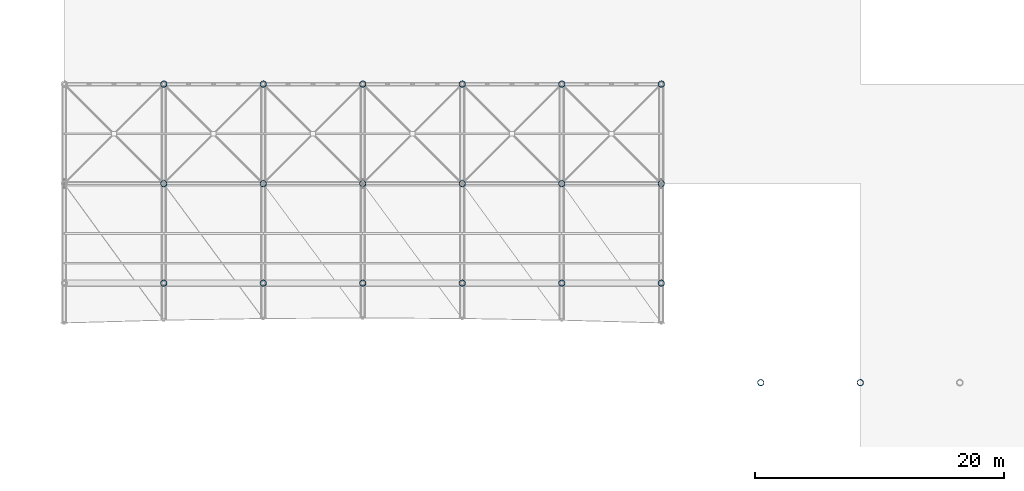
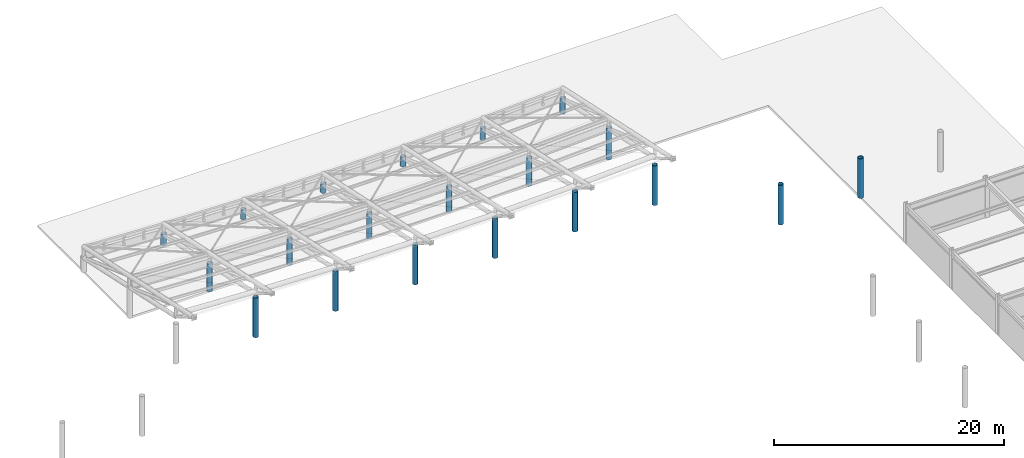
# One storey, part 7 of 54: 20 columns.
"""IFC4 building model written with IfcOpenShell, lengths in metres."""

import ifcopenshell
import ifcopenshell.guid

model = None  # the IFC model being written
_history = None  # IfcOwnerHistory: only IFC2X3 demands one
_inside = {}  # id of a spatial element -> (the spatial element, [elements in it])
_under = {}  # id of a project, library or spatial element -> (it, [spatial elements below it])
_declared = {}  # id of a project -> (the project, [libraries it declares])
_typed = {}  # id of a type object -> (the type object, [elements of that type])
_made_of = {}  # id of a material, layer set ... -> (it, [elements and type objects made of it])


def new_model(schema):
    """Start an empty IFC model of exactly this schema.

    Asked for "IFC4X3", IfcOpenShell would pick the latest addendum, in which some entities
    have other attributes; the version numbers below select the first issue.
    IFC2X3 requires an IfcOwnerHistory on every rooted entity: one is made here for all.
    """
    global model, _history
    if schema == "IFC4X3":
        model = ifcopenshell.file(schema_version=(4, 3, 0, 0))
    else:
        model = ifcopenshell.file(schema=schema)
    _inside.clear()
    _under.clear()
    _declared.clear()
    _typed.clear()
    _made_of.clear()
    _history = None
    if model.schema == "IFC2X3":
        org = make("IfcOrganization", Name="unknown")
        user = make(
            "IfcPersonAndOrganization",
            ThePerson=make("IfcPerson", FamilyName="unknown"),
            TheOrganization=org,
        )
        app = make(
            "IfcApplication",
            ApplicationDeveloper=org,
            Version="unknown",
            ApplicationFullName="unknown",
            ApplicationIdentifier="unknown",
        )
        _history = make(
            "IfcOwnerHistory",
            OwningUser=user,
            OwningApplication=app,
            ChangeAction="ADDED",
            CreationDate=0,
        )
    return model


def make(cls, **values):
    """One entity of the class cls with the attributes given. An attribute that is None is left unset."""
    return model.create_entity(
        cls, **{name: value for name, value in values.items() if value is not None}
    )


def rooted(cls, **values):
    """An entity with a GlobalId (a new one), such as an element, a storey or a relation."""
    return make(cls, GlobalId=ifcopenshell.guid.new(), OwnerHistory=_history, **values)


def si_unit(unit_type, name, prefix=None):
    """IfcSIUnit, for example si_unit("LENGTHUNIT", "METRE", prefix="MILLI")."""
    return make("IfcSIUnit", UnitType=unit_type, Prefix=prefix, Name=name)


def assignment(units):
    """IfcUnitAssignment: the units of a project."""
    return None if units is None else make("IfcUnitAssignment", Units=units)


def point(xyz):
    """IfcCartesianPoint."""
    return None if xyz is None else make("IfcCartesianPoint", Coordinates=xyz)


def direction(xyz):
    """IfcDirection."""
    return None if xyz is None else make("IfcDirection", DirectionRatios=xyz)


def frame(location, z_axis=None, x_axis=None):
    """IfcAxis2Placement3D, a coordinate frame: its origin and axes. An axis left out is left unset."""
    return make(
        "IfcAxis2Placement3D",
        Location=point(location),
        Axis=direction(z_axis),
        RefDirection=direction(x_axis),
    )


def frame_2d(location, x_axis=None):
    """IfcAxis2Placement2D, a coordinate frame in the plane: its origin and x axis."""
    return make(
        "IfcAxis2Placement2D", Location=point(location), RefDirection=direction(x_axis)
    )


def origin():
    """The frame at (0, 0, 0) with its axes left unset."""
    return frame((0.0, 0.0, 0.0))


def origin_2d():
    """The frame at (0, 0) in the plane with its x axis left unset."""
    return frame_2d((0.0, 0.0))


def place(relative_to, where):
    """IfcLocalPlacement: puts the frame where relative to a parent placement (None: the world)."""
    return make(
        "IfcLocalPlacement", PlacementRelTo=relative_to, RelativePlacement=where
    )


def context(
    kind, dimensions, precision=None, world=None, true_north=None, identifier=None
):
    """IfcGeometricRepresentationContext, for example the 3D "Model" context."""
    return make(
        "IfcGeometricRepresentationContext",
        ContextIdentifier=identifier,
        ContextType=kind,
        CoordinateSpaceDimension=dimensions,
        Precision=precision,
        WorldCoordinateSystem=world,
        TrueNorth=true_north,
    )


def subcontext(parent, identifier, kind, view, scale=None):
    """IfcGeometricRepresentationSubContext, for example "Body" below "Model"."""
    return make(
        "IfcGeometricRepresentationSubContext",
        ContextIdentifier=identifier,
        ContextType=kind,
        ParentContext=parent,
        TargetScale=scale,
        TargetView=view,
    )


def project(units=None, contexts=None):
    """IfcProject with its units and contexts."""
    return rooted(
        "IfcProject",
        Name="project",
        RepresentationContexts=contexts,
        UnitsInContext=assignment(units),
    )


def spatial(cls, under=None, at=None, **own):
    """A site, building, storey or space (cls), placed at a placement, below another one or the project."""
    s = rooted(cls, ObjectPlacement=at, **own)
    if under is not None:
        _under.setdefault(under.id(), (under, []))[1].append(s)
    return s


def profile(cls, at=None, kind="AREA", **sizes):
    """A parametric profile (cls). Its sizes go by their IFC names, for example OverallWidth=200.0."""
    return make(cls, ProfileType=kind, Position=at, **sizes)


def hollow_circle(**sizes):
    """IfcCircleHollowProfileDef."""
    return profile("IfcCircleHollowProfileDef", **sizes)


def extrude(swept, where, along, depth):
    """IfcExtrudedAreaSolid: the profile swept, set in the frame where, extruded along a direction by depth."""
    return make(
        "IfcExtrudedAreaSolid",
        SweptArea=swept,
        Position=where,
        ExtrudedDirection=direction(along),
        Depth=depth,
    )


def shape(context_of_items, identifier, shape_type, items):
    """IfcShapeRepresentation: the items that make up one representation, for example the "Body"."""
    return make(
        "IfcShapeRepresentation",
        ContextOfItems=context_of_items,
        RepresentationIdentifier=identifier,
        RepresentationType=shape_type,
        Items=items,
    )


def material(Name=None, Category=None):
    """IfcMaterial."""
    return make("IfcMaterial", Name=Name, Category=Category)


def material_profile(
    of_material, cross_section, Name=None, Category=None, Priority=None
):
    """IfcMaterialProfile: a cross section and its material."""
    return make(
        "IfcMaterialProfile",
        Name=Name,
        Material=of_material,
        Profile=cross_section,
        Priority=Priority,
        Category=Category,
    )


def profile_set(profiles, Name=None, composite=None):
    """IfcMaterialProfileSet."""
    return make(
        "IfcMaterialProfileSet",
        Name=Name,
        MaterialProfiles=profiles,
        CompositeProfile=composite,
    )


def made_of(thing, what):
    """Note that an element or type object is made of a material, layer set ...; save() writes the relation."""
    if what is not None:
        _made_of.setdefault(what.id(), (what, []))[1].append(thing)
    return thing


def type_object(cls, material=None, **own):
    """A type object (cls), such as IfcWallType, which elements share."""
    return made_of(rooted(cls, **own), material)


def element(
    cls,
    number,
    at=None,
    inside=None,
    cuts=None,
    type_object=None,
    material=None,
    context=None,
    identifier="Body",
    shape_type=None,
    held_by="IfcProductDefinitionShape",
    body=None,
    shapes=None,
    **own,
):
    """One element of the class cls, such as IfcWall. Its Tag is "e" and its number.

    at: its placement. inside: the storey or other place that contains it. cuts: it is an
    opening in that element (IfcRelVoidsElement). A single representation is given by context,
    identifier, shape_type and body (its items); several are given by shapes. held_by: the class
    of the entity that holds the representations. save() writes the other relations.
    """
    e = rooted(cls, Tag="e%d" % number, ObjectPlacement=at, **own)
    if body is not None:
        shapes = [shape(context, identifier, shape_type, body)]
    if shapes is not None:
        e.Representation = make(held_by, Representations=shapes)
    if inside is not None:
        _inside.setdefault(inside.id(), (inside, []))[1].append(e)
    if cuts is not None:
        rooted(
            "IfcRelVoidsElement", RelatingBuildingElement=cuts, RelatedOpeningElement=e
        )
    if type_object is not None:
        _typed.setdefault(type_object.id(), (type_object, []))[1].append(e)
    return made_of(e, material)


def aggregate(whole, parts):
    """IfcRelAggregates: a whole, such as a stair, and the parts it consists of."""
    return rooted("IfcRelAggregates", RelatingObject=whole, RelatedObjects=parts)


def save(model, path):
    """Write the relations noted so far, then the file.

    IfcRelAggregates (storeys below a building ...), IfcRelContainedInSpatialStructure (elements
    in a storey), IfcRelDefinesByType, IfcRelAssociatesMaterial and IfcRelDeclares: one each for
    every whole, place, type object, material and project.
    """
    for whole, parts in _under.values():
        aggregate(whole, parts)
    for where, things in _inside.values():
        rooted(
            "IfcRelContainedInSpatialStructure",
            RelatedElements=things,
            RelatingStructure=where,
        )
    for kind, things in _typed.values():
        rooted("IfcRelDefinesByType", RelatedObjects=things, RelatingType=kind)
    for what, things in _made_of.values():
        rooted("IfcRelAssociatesMaterial", RelatedObjects=things, RelatingMaterial=what)
    for by, libraries in _declared.values():
        rooted("IfcRelDeclares", RelatingContext=by, RelatedDefinitions=libraries)
    model.write(path)


model = new_model("IFC4")

# Units and contexts
model_context = context("Model", 3, precision=1e-05, world=origin(), true_north=direction((0.0, 1.0)))
body_context = subcontext(model_context, "Body", "Model", "MODEL_VIEW")
ifc_project = project(units=[si_unit("LENGTHUNIT", "METRE"), si_unit("AREAUNIT", "SQUARE_METRE"), si_unit("VOLUMEUNIT", "CUBIC_METRE"), si_unit("PLANEANGLEUNIT", "RADIAN"), si_unit("MASSUNIT", "GRAM", prefix="KILO")], contexts=[model_context])

# Site, building, storey
site_placement = place(None, origin())
site = spatial("IfcSite", under=ifc_project, at=site_placement, CompositionType="ELEMENT")
building_placement = place(site_placement, origin())
building = spatial("IfcBuilding", under=site, at=building_placement, Name="Haebicheon Civic Stadium", CompositionType="ELEMENT")
storey_placement = place(building_placement, frame((0.0, 0.0, 22.800048828125)))
storey = spatial("IfcBuildingStorey", under=building, at=storey_placement, Name="L06", CompositionType="ELEMENT", Elevation=22.800048828125)

# Columns
ifc_material = material(Name="White painted steel SM490", Category="steel")
ifc_material_profile = material_profile(ifc_material, hollow_circle(Radius=0.25390625, WallThickness=0.02490234375, at=origin_2d()), Name="CHS-508.0x25.0")
ifc_profile_set = profile_set([ifc_material_profile], Name="White painted steel SM490")
column_type = type_object("IfcColumnType", Name="COL-ST-CHS508", PredefinedType="COLUMN", material=ifc_profile_set)
for number, where, z_axis, x_axis, name in (
    (1, (144.0, 136.0, 0.0), (0.0, 0.0, 1.0), (1.0, 0.0, 0.0), "Bowl/canopy support column 144/136 (L06)"),
    (2, (136.0, 136.0, 0.0), (0.0, 0.0, 1.0), (1.0, 0.0, 0.0), "Bowl/canopy support column 136/136 (L06)"),
):
    element("IfcColumn", number, at=place(storey_placement, frame(where, z_axis=z_axis, x_axis=x_axis)), inside=storey, type_object=column_type, material=ifc_profile_set, Name=name, PredefinedType="COLUMN", context=body_context, shape_type="SweptSolid", body=[
        extrude(hollow_circle(Radius=0.25390625, WallThickness=0.02490234375, at=origin_2d()), origin(), (0.0, 0.0, 1.0), 4.199951171875),
    ])
column_1_placement = place(storey_placement, frame((88.0, 160.0, 0.0), z_axis=(0.0, 0.0, 1.0), x_axis=(1.0, 0.0, 0.0)))
element("IfcColumn", 3, at=column_1_placement, inside=storey, type_object=column_type, material=ifc_profile_set, Name="Bowl/canopy support column 88/160 (L06)", PredefinedType="COLUMN", context=body_context, shape_type="SweptSolid", body=[
    extrude(hollow_circle(Radius=0.25390625, WallThickness=0.02490234375, at=origin_2d()), origin(), (0.0, 0.0, 1.0), 1.219970703125),
])
column_2_placement = place(storey_placement, frame((88.0, 152.0, 0.0), z_axis=(0.0, 0.0, 1.0), x_axis=(1.0, 0.0, 0.0)))
element("IfcColumn", 4, at=column_2_placement, inside=storey, type_object=column_type, material=ifc_profile_set, Name="Bowl/canopy support column 88/152 (L06)", PredefinedType="COLUMN", context=body_context, shape_type="SweptSolid", body=[
    extrude(hollow_circle(Radius=0.25390625, WallThickness=0.02490234375, at=origin_2d()), origin(), (0.0, 0.0, 1.0), 2.93994140625),
])
column_3_placement = place(storey_placement, frame((88.0, 144.0, 0.0), z_axis=(0.0, 0.0, 1.0), x_axis=(1.0, 0.0, 0.0)))
element("IfcColumn", 5, at=column_3_placement, inside=storey, type_object=column_type, material=ifc_profile_set, Name="Bowl/canopy support column 88/144 (L06)", PredefinedType="COLUMN", context=body_context, shape_type="SweptSolid", body=[
    extrude(hollow_circle(Radius=0.25390625, WallThickness=0.02490234375, at=origin_2d()), origin(), (0.0, 0.0, 1.0), 4.199951171875),
])
column_4_placement = place(storey_placement, frame((96.0, 160.0, 0.0), z_axis=(0.0, 0.0, 1.0), x_axis=(1.0, 0.0, 0.0)))
element("IfcColumn", 6, at=column_4_placement, inside=storey, type_object=column_type, material=ifc_profile_set, Name="Bowl/canopy support column 96/160 (L06)", PredefinedType="COLUMN", context=body_context, shape_type="SweptSolid", body=[
    extrude(hollow_circle(Radius=0.25390625, WallThickness=0.02490234375, at=origin_2d()), origin(), (0.0, 0.0, 1.0), 1.0),
])
column_5_placement = place(storey_placement, frame((96.0, 152.0, 0.0), z_axis=(0.0, 0.0, 1.0), x_axis=(1.0, 0.0, 0.0)))
element("IfcColumn", 7, at=column_5_placement, inside=storey, type_object=column_type, material=ifc_profile_set, Name="Bowl/canopy support column 96/152 (L06)", PredefinedType="COLUMN", context=body_context, shape_type="SweptSolid", body=[
    extrude(hollow_circle(Radius=0.25390625, WallThickness=0.02490234375, at=origin_2d()), origin(), (0.0, 0.0, 1.0), 2.719970703125),
])
column_6_placement = place(storey_placement, frame((96.0, 144.0, 0.0), z_axis=(0.0, 0.0, 1.0), x_axis=(1.0, 0.0, 0.0)))
element("IfcColumn", 8, at=column_6_placement, inside=storey, type_object=column_type, material=ifc_profile_set, Name="Bowl/canopy support column 96/144 (L06)", PredefinedType="COLUMN", context=body_context, shape_type="SweptSolid", body=[
    extrude(hollow_circle(Radius=0.25390625, WallThickness=0.02490234375, at=origin_2d()), origin(), (0.0, 0.0, 1.0), 4.199951171875),
])
column_7_placement = place(storey_placement, frame((104.0, 160.0, 0.0), z_axis=(0.0, 0.0, 1.0), x_axis=(1.0, 0.0, 0.0)))
element("IfcColumn", 9, at=column_7_placement, inside=storey, type_object=column_type, material=ifc_profile_set, Name="Bowl/canopy support column 104/160 (L06)", PredefinedType="COLUMN", context=body_context, shape_type="SweptSolid", body=[
    extrude(hollow_circle(Radius=0.25390625, WallThickness=0.02490234375, at=origin_2d()), origin(), (0.0, 0.0, 1.0), 0.927001953125),
])
column_8_placement = place(storey_placement, frame((104.0, 152.0, 0.0), z_axis=(0.0, 0.0, 1.0), x_axis=(1.0, 0.0, 0.0)))
element("IfcColumn", 10, at=column_8_placement, inside=storey, type_object=column_type, material=ifc_profile_set, Name="Bowl/canopy support column 104/152 (L06)", PredefinedType="COLUMN", context=body_context, shape_type="SweptSolid", body=[
    extrude(hollow_circle(Radius=0.25390625, WallThickness=0.02490234375, at=origin_2d()), origin(), (0.0, 0.0, 1.0), 2.64697265625),
])
column_9_placement = place(storey_placement, frame((104.0, 144.0, 0.0), z_axis=(0.0, 0.0, 1.0), x_axis=(1.0, 0.0, 0.0)))
element("IfcColumn", 11, at=column_9_placement, inside=storey, type_object=column_type, material=ifc_profile_set, Name="Bowl/canopy support column 104/144 (L06)", PredefinedType="COLUMN", context=body_context, shape_type="SweptSolid", body=[
    extrude(hollow_circle(Radius=0.25390625, WallThickness=0.02490234375, at=origin_2d()), origin(), (0.0, 0.0, 1.0), 4.199951171875),
])
column_10_placement = place(storey_placement, frame((112.0, 160.0, 0.0), z_axis=(0.0, 0.0, 1.0), x_axis=(1.0, 0.0, 0.0)))
element("IfcColumn", 12, at=column_10_placement, inside=storey, type_object=column_type, material=ifc_profile_set, Name="Bowl/canopy support column 112/160 (L06)", PredefinedType="COLUMN", context=body_context, shape_type="SweptSolid", body=[
    extrude(hollow_circle(Radius=0.25390625, WallThickness=0.02490234375, at=origin_2d()), origin(), (0.0, 0.0, 1.0), 1.0),
])
column_11_placement = place(storey_placement, frame((112.0, 152.0, 0.0), z_axis=(0.0, 0.0, 1.0), x_axis=(1.0, 0.0, 0.0)))
element("IfcColumn", 13, at=column_11_placement, inside=storey, type_object=column_type, material=ifc_profile_set, Name="Bowl/canopy support column 112/152 (L06)", PredefinedType="COLUMN", context=body_context, shape_type="SweptSolid", body=[
    extrude(hollow_circle(Radius=0.25390625, WallThickness=0.02490234375, at=origin_2d()), origin(), (0.0, 0.0, 1.0), 2.719970703125),
])
column_12_placement = place(storey_placement, frame((112.0, 144.0, 0.0), z_axis=(0.0, 0.0, 1.0), x_axis=(1.0, 0.0, 0.0)))
element("IfcColumn", 14, at=column_12_placement, inside=storey, type_object=column_type, material=ifc_profile_set, Name="Bowl/canopy support column 112/144 (L06)", PredefinedType="COLUMN", context=body_context, shape_type="SweptSolid", body=[
    extrude(hollow_circle(Radius=0.25390625, WallThickness=0.02490234375, at=origin_2d()), origin(), (0.0, 0.0, 1.0), 4.199951171875),
])
column_13_placement = place(storey_placement, frame((120.0, 160.0, 0.0), z_axis=(0.0, 0.0, 1.0), x_axis=(1.0, 0.0, 0.0)))
element("IfcColumn", 15, at=column_13_placement, inside=storey, type_object=column_type, material=ifc_profile_set, Name="Bowl/canopy support column 120/160 (L06)", PredefinedType="COLUMN", context=body_context, shape_type="SweptSolid", body=[
    extrude(hollow_circle(Radius=0.25390625, WallThickness=0.02490234375, at=origin_2d()), origin(), (0.0, 0.0, 1.0), 1.219970703125),
])
column_14_placement = place(storey_placement, frame((120.0, 152.0, 0.0), z_axis=(0.0, 0.0, 1.0), x_axis=(1.0, 0.0, 0.0)))
element("IfcColumn", 16, at=column_14_placement, inside=storey, type_object=column_type, material=ifc_profile_set, Name="Bowl/canopy support column 120/152 (L06)", PredefinedType="COLUMN", context=body_context, shape_type="SweptSolid", body=[
    extrude(hollow_circle(Radius=0.25390625, WallThickness=0.02490234375, at=origin_2d()), origin(), (0.0, 0.0, 1.0), 2.93994140625),
])
column_15_placement = place(storey_placement, frame((120.0, 144.0, 0.0), z_axis=(0.0, 0.0, 1.0), x_axis=(1.0, 0.0, 0.0)))
element("IfcColumn", 17, at=column_15_placement, inside=storey, type_object=column_type, material=ifc_profile_set, Name="Bowl/canopy support column 120/144 (L06)", PredefinedType="COLUMN", context=body_context, shape_type="SweptSolid", body=[
    extrude(hollow_circle(Radius=0.25390625, WallThickness=0.02490234375, at=origin_2d()), origin(), (0.0, 0.0, 1.0), 4.199951171875),
])
column_16_placement = place(storey_placement, frame((128.0, 160.0, 0.0), z_axis=(0.0, 0.0, 1.0), x_axis=(1.0, 0.0, 0.0)))
element("IfcColumn", 18, at=column_16_placement, inside=storey, type_object=column_type, material=ifc_profile_set, Name="Bowl/canopy support column 128/160 (L06)", PredefinedType="COLUMN", context=body_context, shape_type="SweptSolid", body=[
    extrude(hollow_circle(Radius=0.25390625, WallThickness=0.02490234375, at=origin_2d()), origin(), (0.0, 0.0, 1.0), 1.5869140625),
])
column_17_placement = place(storey_placement, frame((128.0, 152.0, 0.0), z_axis=(0.0, 0.0, 1.0), x_axis=(1.0, 0.0, 0.0)))
element("IfcColumn", 19, at=column_17_placement, inside=storey, type_object=column_type, material=ifc_profile_set, Name="Bowl/canopy support column 128/152 (L06)", PredefinedType="COLUMN", context=body_context, shape_type="SweptSolid", body=[
    extrude(hollow_circle(Radius=0.25390625, WallThickness=0.02490234375, at=origin_2d()), origin(), (0.0, 0.0, 1.0), 3.306884765625),
])
column_18_placement = place(storey_placement, frame((128.0, 144.0, 0.0), z_axis=(0.0, 0.0, 1.0), x_axis=(1.0, 0.0, 0.0)))
element("IfcColumn", 20, at=column_18_placement, inside=storey, type_object=column_type, material=ifc_profile_set, Name="Bowl/canopy support column 128/144 (L06)", PredefinedType="COLUMN", context=body_context, shape_type="SweptSolid", body=[
    extrude(hollow_circle(Radius=0.25390625, WallThickness=0.02490234375, at=origin_2d()), origin(), (0.0, 0.0, 1.0), 4.199951171875),
])

save(model, "model.ifc")
